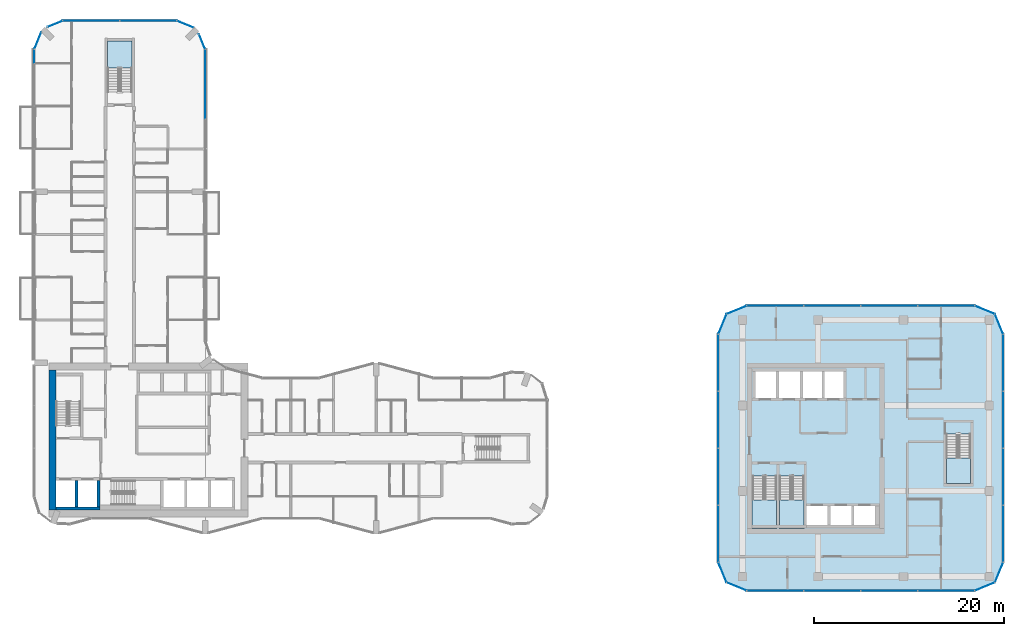
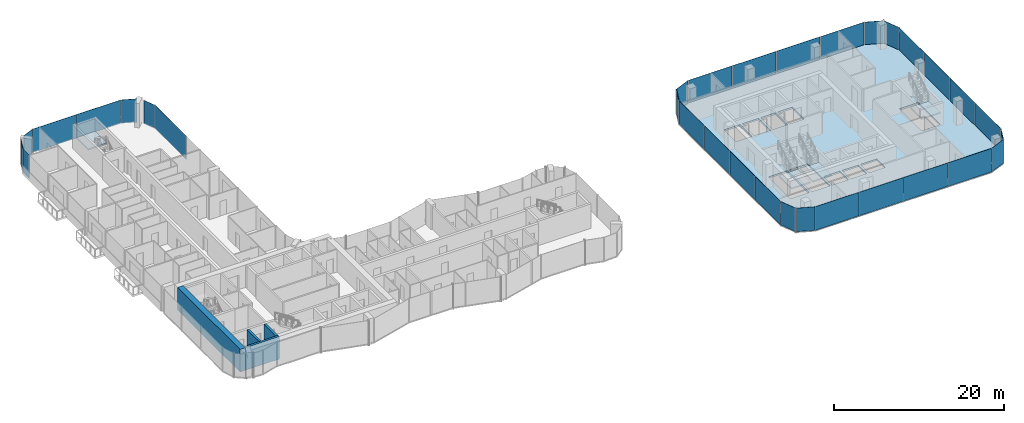
# One storey, part 12 of 23: 32 plates, 5 slabs, 4 walls, 23 elements without a shape of their own.
"""IFC4 building model written with IfcOpenShell, lengths in metres."""

from ifc_helpers import new_model, si_unit, direction, frame, frame_2d, origin, origin_2d, place, context, subcontext, project, spatial, polyline, rectangle, outline, extrude, material, layer, layer_set, type_object, element, aggregate, save


model = new_model("IFC4")

# Units and contexts
model_context = context("Model", 3, precision=1e-05, world=origin(), true_north=direction((0.0, 1.0)))
body_context = subcontext(model_context, "Body", "Model", "MODEL_VIEW")
ifc_project = project(units=[si_unit("LENGTHUNIT", "METRE"), si_unit("AREAUNIT", "SQUARE_METRE"), si_unit("VOLUMEUNIT", "CUBIC_METRE"), si_unit("PLANEANGLEUNIT", "RADIAN"), si_unit("MASSUNIT", "GRAM", prefix="KILO")], contexts=[model_context])

# Site, building, storey
site_placement = place(None, origin())
site = spatial("IfcSite", under=ifc_project, at=site_placement, CompositionType="ELEMENT")
building_placement = place(site_placement, origin())
building = spatial("IfcBuilding", under=site, at=building_placement, Name="Plateau Cross Towers", CompositionType="ELEMENT")
storey_placement = place(building_placement, frame((0.0, 0.0, 33.800048828125)))
storey = spatial("IfcBuildingStorey", under=building, at=storey_placement, Name="L07", CompositionType="ELEMENT", Elevation=33.800048828125)

# Curtain wall, plates
ifc_material_1 = material(Name="Dark low-iron glass", Category="glass")
ifc_layer_1 = layer(ifc_material_1, 0.239990234375)
ifc_layer_set_1 = layer_set([ifc_layer_1], Name="Dark low-iron glass")
curtain_wall_type_1 = type_object("IfcCurtainWallType", Name="Curtain wall office unitised CW-F", PredefinedType="NOTDEFINED", material=ifc_layer_set_1)
curtain_wall_1_placement = place(storey_placement, origin())
curtain_wall_1 = element("IfcCurtainWall", 1, at=curtain_wall_1_placement, inside=storey, type_object=curtain_wall_type_1, Name="ENV/B/L07/B750_-60", PredefinedType="NOTDEFINED")
ifc_layer_2 = layer(ifc_material_1, 0.028076171875)
ifc_layer_set_2 = layer_set([ifc_layer_2], Name="Dark low-iron glass")
plate_type_1 = type_object("IfcPlateType", Name="Glass panel 28 office unitised", PredefinedType="CURTAIN_PANEL", material=ifc_layer_set_2)
plate_1_placement = place(storey_placement, frame((78.0, -6.0, -0.1298828125), z_axis=(0.0, 0.0, 1.0), x_axis=(1.0, 0.0, 0.0)))
plate_1 = element("IfcPlate", 2, at=plate_1_placement, type_object=plate_type_1, Name="CW-F panel 1", PredefinedType="CURTAIN_PANEL", context=body_context, shape_type="SweptSolid", body=[
    extrude(rectangle(XDim=5.93994140625, YDim=0.028076171875, at=origin_2d()), origin(), (0.0, 0.0, 1.0), 3.3798828125),
])
plate_2_placement = place(storey_placement, frame((84.0, -6.0, -0.1298828125), z_axis=(0.0, 0.0, 1.0), x_axis=(1.0, 0.0, 0.0)))
plate_2 = element("IfcPlate", 3, at=plate_2_placement, type_object=plate_type_1, Name="CW-F panel 2", PredefinedType="CURTAIN_PANEL", context=body_context, shape_type="SweptSolid", body=[
    extrude(rectangle(XDim=5.93994140625, YDim=0.028076171875, at=origin_2d()), origin(), (0.0, 0.0, 1.0), 3.3798828125),
])
plate_3_placement = place(storey_placement, frame((90.0, -6.0, -0.1298828125), z_axis=(0.0, 0.0, 1.0), x_axis=(1.0, 0.0, 0.0)))
plate_3 = element("IfcPlate", 4, at=plate_3_placement, type_object=plate_type_1, Name="CW-F panel 3", PredefinedType="CURTAIN_PANEL", context=body_context, shape_type="SweptSolid", body=[
    extrude(rectangle(XDim=5.93994140625, YDim=0.028076171875, at=origin_2d()), origin(), (0.0, 0.0, 1.0), 3.3798828125),
])
plate_4_placement = place(storey_placement, frame((96.0, -6.0, -0.1298828125), z_axis=(0.0, 0.0, 1.0), x_axis=(1.0, 0.0, 0.0)))
plate_4 = element("IfcPlate", 5, at=plate_4_placement, type_object=plate_type_1, Name="CW-F panel 4", PredefinedType="CURTAIN_PANEL", context=body_context, shape_type="SweptSolid", body=[
    extrude(rectangle(XDim=5.93994140625, YDim=0.028076171875, at=origin_2d()), origin(), (0.0, 0.0, 1.0), 3.3798828125),
])
aggregate(curtain_wall_1, [plate_1, plate_2, plate_3, plate_4])

# Curtain wall, plate
curtain_wall_2_placement = place(storey_placement, origin())
curtain_wall_2 = element("IfcCurtainWall", 6, at=curtain_wall_2_placement, inside=storey, type_object=curtain_wall_type_1, Name="ENV/B/L07/B990_-60", PredefinedType="NOTDEFINED")
plate_5_placement = place(storey_placement, frame((100.060546875, -5.560546875, -0.1298828125), z_axis=(0.0, 0.0, 1.0), x_axis=(0.923879457699, 0.382683612978, 0.0)))
plate_5 = element("IfcPlate", 7, at=plate_5_placement, type_object=plate_type_1, Name="CW-F panel 1", PredefinedType="CURTAIN_PANEL", context=body_context, shape_type="SweptSolid", body=[
    extrude(rectangle(XDim=2.236083984375, YDim=0.028076171875, at=origin_2d()), origin(), (0.0, 0.0, 1.0), 3.3798828125),
])
aggregate(curtain_wall_2, [plate_5])

curtain_wall_3_placement = place(storey_placement, origin())
curtain_wall_3 = element("IfcCurtainWall", 8, at=curtain_wall_3_placement, inside=storey, type_object=curtain_wall_type_1, Name="ENV/B/L07/B1011_-51", PredefinedType="NOTDEFINED")
plate_6_placement = place(storey_placement, frame((101.560546875, -4.060546875, -0.1298828125), z_axis=(0.0, 0.0, 1.0), x_axis=(0.382683612978, 0.923879457699, 0.0)))
plate_6 = element("IfcPlate", 9, at=plate_6_placement, type_object=plate_type_1, Name="CW-F panel 1", PredefinedType="CURTAIN_PANEL", context=body_context, shape_type="SweptSolid", body=[
    extrude(rectangle(XDim=2.236083984375, YDim=0.028076171875, at=origin_2d()), origin(), (0.0, 0.0, 1.0), 3.3798828125),
])
aggregate(curtain_wall_3, [plate_6])

# Curtain wall, plates
curtain_wall_4_placement = place(storey_placement, origin())
curtain_wall_4 = element("IfcCurtainWall", 10, at=curtain_wall_4_placement, inside=storey, type_object=curtain_wall_type_1, Name="ENV/B/L07/B1020_-30", PredefinedType="NOTDEFINED")
plate_7_placement = place(storey_placement, frame((102.0, 0.0, -0.1298828125), z_axis=(0.0, 0.0, 1.0), x_axis=(0.0, 1.0, 0.0)))
plate_7 = element("IfcPlate", 11, at=plate_7_placement, type_object=plate_type_1, Name="CW-F panel 1", PredefinedType="CURTAIN_PANEL", context=body_context, shape_type="SweptSolid", body=[
    extrude(rectangle(XDim=5.93994140625, YDim=0.028076171875, at=origin_2d()), origin(), (0.0, 0.0, 1.0), 3.3798828125),
])
plate_8_placement = place(storey_placement, frame((102.0, 6.0, -0.1298828125), z_axis=(0.0, 0.0, 1.0), x_axis=(0.0, 1.0, 0.0)))
plate_8 = element("IfcPlate", 12, at=plate_8_placement, type_object=plate_type_1, Name="CW-F panel 2", PredefinedType="CURTAIN_PANEL", context=body_context, shape_type="SweptSolid", body=[
    extrude(rectangle(XDim=5.93994140625, YDim=0.028076171875, at=origin_2d()), origin(), (0.0, 0.0, 1.0), 3.3798828125),
])
plate_9_placement = place(storey_placement, frame((102.0, 12.0, -0.1298828125), z_axis=(0.0, 0.0, 1.0), x_axis=(0.0, 1.0, 0.0)))
plate_9 = element("IfcPlate", 13, at=plate_9_placement, type_object=plate_type_1, Name="CW-F panel 3", PredefinedType="CURTAIN_PANEL", context=body_context, shape_type="SweptSolid", body=[
    extrude(rectangle(XDim=5.93994140625, YDim=0.028076171875, at=origin_2d()), origin(), (0.0, 0.0, 1.0), 3.3798828125),
])
plate_10_placement = place(storey_placement, frame((102.0, 18.0, -0.1298828125), z_axis=(0.0, 0.0, 1.0), x_axis=(0.0, 1.0, 0.0)))
plate_10 = element("IfcPlate", 14, at=plate_10_placement, type_object=plate_type_1, Name="CW-F panel 4", PredefinedType="CURTAIN_PANEL", context=body_context, shape_type="SweptSolid", body=[
    extrude(rectangle(XDim=5.93994140625, YDim=0.028076171875, at=origin_2d()), origin(), (0.0, 0.0, 1.0), 3.3798828125),
])
aggregate(curtain_wall_4, [plate_7, plate_8, plate_9, plate_10])

# Curtain wall, plate
curtain_wall_5_placement = place(storey_placement, origin())
curtain_wall_5 = element("IfcCurtainWall", 15, at=curtain_wall_5_placement, inside=storey, type_object=curtain_wall_type_1, Name="ENV/B/L07/B1020_210", PredefinedType="NOTDEFINED")
plate_11_placement = place(storey_placement, frame((101.560546875, 22.060546875, -0.1298828125), z_axis=(0.0, 0.0, 1.0), x_axis=(-0.382683612978, 0.923879457699, 0.0)))
plate_11 = element("IfcPlate", 16, at=plate_11_placement, type_object=plate_type_1, Name="CW-F panel 1", PredefinedType="CURTAIN_PANEL", context=body_context, shape_type="SweptSolid", body=[
    extrude(rectangle(XDim=2.236083984375, YDim=0.028076171875, at=origin_2d()), origin(), (0.0, 0.0, 1.0), 3.3798828125),
])
aggregate(curtain_wall_5, [plate_11])

curtain_wall_6_placement = place(storey_placement, origin())
curtain_wall_6 = element("IfcCurtainWall", 17, at=curtain_wall_6_placement, inside=storey, type_object=curtain_wall_type_1, Name="ENV/B/L07/B1011_231", PredefinedType="NOTDEFINED")
plate_12_placement = place(storey_placement, frame((100.060546875, 23.560546875, -0.1298828125), z_axis=(0.0, 0.0, 1.0), x_axis=(-0.923879457699, 0.382683612978, 0.0)))
plate_12 = element("IfcPlate", 18, at=plate_12_placement, type_object=plate_type_1, Name="CW-F panel 1", PredefinedType="CURTAIN_PANEL", context=body_context, shape_type="SweptSolid", body=[
    extrude(rectangle(XDim=2.236083984375, YDim=0.028076171875, at=origin_2d()), origin(), (0.0, 0.0, 1.0), 3.3798828125),
])
aggregate(curtain_wall_6, [plate_12])

# Curtain wall, plates
curtain_wall_7_placement = place(storey_placement, origin())
curtain_wall_7 = element("IfcCurtainWall", 19, at=curtain_wall_7_placement, inside=storey, type_object=curtain_wall_type_1, Name="ENV/B/L07/B990_240", PredefinedType="NOTDEFINED")
plate_13_placement = place(storey_placement, frame((96.0, 24.0, -0.1298828125), z_axis=(0.0, 0.0, 1.0), x_axis=(-1.0, 0.0, 0.0)))
plate_13 = element("IfcPlate", 20, at=plate_13_placement, type_object=plate_type_1, Name="CW-F panel 1", PredefinedType="CURTAIN_PANEL", context=body_context, shape_type="SweptSolid", body=[
    extrude(rectangle(XDim=5.93994140625, YDim=0.028076171875, at=origin_2d()), origin(), (0.0, 0.0, 1.0), 3.3798828125),
])
plate_14_placement = place(storey_placement, frame((90.0, 24.0, -0.1298828125), z_axis=(0.0, 0.0, 1.0), x_axis=(-1.0, 0.0, 0.0)))
plate_14 = element("IfcPlate", 21, at=plate_14_placement, type_object=plate_type_1, Name="CW-F panel 2", PredefinedType="CURTAIN_PANEL", context=body_context, shape_type="SweptSolid", body=[
    extrude(rectangle(XDim=5.93994140625, YDim=0.028076171875, at=origin_2d()), origin(), (0.0, 0.0, 1.0), 3.3798828125),
])
plate_15_placement = place(storey_placement, frame((84.0, 24.0, -0.1298828125), z_axis=(0.0, 0.0, 1.0), x_axis=(-1.0, 0.0, 0.0)))
plate_15 = element("IfcPlate", 22, at=plate_15_placement, type_object=plate_type_1, Name="CW-F panel 3", PredefinedType="CURTAIN_PANEL", context=body_context, shape_type="SweptSolid", body=[
    extrude(rectangle(XDim=5.93994140625, YDim=0.028076171875, at=origin_2d()), origin(), (0.0, 0.0, 1.0), 3.3798828125),
])
plate_16_placement = place(storey_placement, frame((78.0, 24.0, -0.1298828125), z_axis=(0.0, 0.0, 1.0), x_axis=(-1.0, 0.0, 0.0)))
plate_16 = element("IfcPlate", 23, at=plate_16_placement, type_object=plate_type_1, Name="CW-F panel 4", PredefinedType="CURTAIN_PANEL", context=body_context, shape_type="SweptSolid", body=[
    extrude(rectangle(XDim=5.93994140625, YDim=0.028076171875, at=origin_2d()), origin(), (0.0, 0.0, 1.0), 3.3798828125),
])
aggregate(curtain_wall_7, [plate_13, plate_14, plate_15, plate_16])

# Curtain wall, plate
curtain_wall_8_placement = place(storey_placement, origin())
curtain_wall_8 = element("IfcCurtainWall", 24, at=curtain_wall_8_placement, inside=storey, type_object=curtain_wall_type_1, Name="ENV/B/L07/B750_240", PredefinedType="NOTDEFINED")
plate_17_placement = place(storey_placement, frame((73.939453125, 23.560546875, -0.1298828125), z_axis=(0.0, 0.0, 1.0), x_axis=(-0.923879457699, -0.382683612978, 0.0)))
plate_17 = element("IfcPlate", 25, at=plate_17_placement, type_object=plate_type_1, Name="CW-F panel 1", PredefinedType="CURTAIN_PANEL", context=body_context, shape_type="SweptSolid", body=[
    extrude(rectangle(XDim=2.236083984375, YDim=0.028076171875, at=origin_2d()), origin(), (0.0, 0.0, 1.0), 3.3798828125),
])
aggregate(curtain_wall_8, [plate_17])

curtain_wall_9_placement = place(storey_placement, origin())
curtain_wall_9 = element("IfcCurtainWall", 26, at=curtain_wall_9_placement, inside=storey, type_object=curtain_wall_type_1, Name="ENV/B/L07/B729_231", PredefinedType="NOTDEFINED")
plate_18_placement = place(storey_placement, frame((72.439453125, 22.060546875, -0.1298828125), z_axis=(0.0, 0.0, 1.0), x_axis=(-0.382683612978, -0.923879457699, 0.0)))
plate_18 = element("IfcPlate", 27, at=plate_18_placement, type_object=plate_type_1, Name="CW-F panel 1", PredefinedType="CURTAIN_PANEL", context=body_context, shape_type="SweptSolid", body=[
    extrude(rectangle(XDim=2.236083984375, YDim=0.028076171875, at=origin_2d()), origin(), (0.0, 0.0, 1.0), 3.3798828125),
])
aggregate(curtain_wall_9, [plate_18])

# Curtain wall, plates
curtain_wall_10_placement = place(storey_placement, origin())
curtain_wall_10 = element("IfcCurtainWall", 28, at=curtain_wall_10_placement, inside=storey, type_object=curtain_wall_type_1, Name="ENV/B/L07/B720_210", PredefinedType="NOTDEFINED")
plate_19_placement = place(storey_placement, frame((72.0, 18.0, -0.1298828125), z_axis=(0.0, 0.0, 1.0), x_axis=(0.0, -1.0, 0.0)))
plate_19 = element("IfcPlate", 29, at=plate_19_placement, type_object=plate_type_1, Name="CW-F panel 1", PredefinedType="CURTAIN_PANEL", context=body_context, shape_type="SweptSolid", body=[
    extrude(rectangle(XDim=5.93994140625, YDim=0.028076171875, at=origin_2d()), origin(), (0.0, 0.0, 1.0), 3.3798828125),
])
plate_20_placement = place(storey_placement, frame((72.0, 12.0, -0.1298828125), z_axis=(0.0, 0.0, 1.0), x_axis=(0.0, -1.0, 0.0)))
plate_20 = element("IfcPlate", 30, at=plate_20_placement, type_object=plate_type_1, Name="CW-F panel 2", PredefinedType="CURTAIN_PANEL", context=body_context, shape_type="SweptSolid", body=[
    extrude(rectangle(XDim=5.93994140625, YDim=0.028076171875, at=origin_2d()), origin(), (0.0, 0.0, 1.0), 3.3798828125),
])
plate_21_placement = place(storey_placement, frame((72.0, 6.0, -0.1298828125), z_axis=(0.0, 0.0, 1.0), x_axis=(0.0, -1.0, 0.0)))
plate_21 = element("IfcPlate", 31, at=plate_21_placement, type_object=plate_type_1, Name="CW-F panel 3", PredefinedType="CURTAIN_PANEL", context=body_context, shape_type="SweptSolid", body=[
    extrude(rectangle(XDim=5.93994140625, YDim=0.028076171875, at=origin_2d()), origin(), (0.0, 0.0, 1.0), 3.3798828125),
])
plate_22_placement = place(storey_placement, frame((72.0, 0.0, -0.1298828125), z_axis=(0.0, 0.0, 1.0), x_axis=(0.0, -1.0, 0.0)))
plate_22 = element("IfcPlate", 32, at=plate_22_placement, type_object=plate_type_1, Name="CW-F panel 4", PredefinedType="CURTAIN_PANEL", context=body_context, shape_type="SweptSolid", body=[
    extrude(rectangle(XDim=5.93994140625, YDim=0.028076171875, at=origin_2d()), origin(), (0.0, 0.0, 1.0), 3.3798828125),
])
aggregate(curtain_wall_10, [plate_19, plate_20, plate_21, plate_22])

# Curtain wall, plate
curtain_wall_11_placement = place(storey_placement, origin())
curtain_wall_11 = element("IfcCurtainWall", 33, at=curtain_wall_11_placement, inside=storey, type_object=curtain_wall_type_1, Name="ENV/B/L07/B720_-30", PredefinedType="NOTDEFINED")
plate_23_placement = place(storey_placement, frame((72.439453125, -4.060546875, -0.1298828125), z_axis=(0.0, 0.0, 1.0), x_axis=(0.382683612978, -0.923879457699, 0.0)))
plate_23 = element("IfcPlate", 34, at=plate_23_placement, type_object=plate_type_1, Name="CW-F panel 1", PredefinedType="CURTAIN_PANEL", context=body_context, shape_type="SweptSolid", body=[
    extrude(rectangle(XDim=2.236083984375, YDim=0.028076171875, at=origin_2d()), origin(), (0.0, 0.0, 1.0), 3.3798828125),
])
aggregate(curtain_wall_11, [plate_23])

curtain_wall_12_placement = place(storey_placement, origin())
curtain_wall_12 = element("IfcCurtainWall", 35, at=curtain_wall_12_placement, inside=storey, type_object=curtain_wall_type_1, Name="ENV/B/L07/B729_-51", PredefinedType="NOTDEFINED")
plate_24_placement = place(storey_placement, frame((73.939453125, -5.560546875, -0.1298828125), z_axis=(0.0, 0.0, 1.0), x_axis=(0.923879457699, -0.382683612978, 0.0)))
plate_24 = element("IfcPlate", 36, at=plate_24_placement, type_object=plate_type_1, Name="CW-F panel 1", PredefinedType="CURTAIN_PANEL", context=body_context, shape_type="SweptSolid", body=[
    extrude(rectangle(XDim=2.236083984375, YDim=0.028076171875, at=origin_2d()), origin(), (0.0, 0.0, 1.0), 3.3798828125),
])
aggregate(curtain_wall_12, [plate_24])

ifc_layer_3 = layer(ifc_material_1, 0.239990234375)
ifc_layer_set_3 = layer_set([ifc_layer_3], Name="Dark low-iron glass")
curtain_wall_type_2 = type_object("IfcCurtainWallType", Name="Curtain wall flush unitised CW-B", PredefinedType="NOTDEFINED", material=ifc_layer_set_3)
curtain_wall_13_placement = place(storey_placement, origin())
curtain_wall_13 = element("IfcCurtainWall", 37, at=curtain_wall_13_placement, inside=storey, type_object=curtain_wall_type_2, Name="ENV/A/L07/A180_363", PredefinedType="NOTDEFINED")
ifc_layer_4 = layer(ifc_material_1, 0.031982421875)
ifc_layer_set_4 = layer_set([ifc_layer_4], Name="Dark low-iron glass")
plate_type_2 = type_object("IfcPlateType", Name="Glass panel 32 flush unitised", PredefinedType="CURTAIN_PANEL", material=ifc_layer_set_4)
plate_25_placement = place(storey_placement, frame((18.0, 47.324951171875, -0.1298828125), z_axis=(0.0, 0.0, 1.0), x_axis=(0.0, 1.0, 0.0)))
plate_25 = element("IfcPlate", 38, at=plate_25_placement, type_object=plate_type_2, Name="CW-B panel 2", PredefinedType="CURTAIN_PANEL", context=body_context, shape_type="SweptSolid", body=[
    extrude(rectangle(XDim=7.2900390625, YDim=0.031982421875, at=origin_2d()), origin(), (0.0, 0.0, 1.0), 3.3798828125),
])
aggregate(curtain_wall_13, [plate_25])

curtain_wall_14_placement = place(storey_placement, origin())
curtain_wall_14 = element("IfcCurtainWall", 39, at=curtain_wall_14_placement, inside=storey, type_object=curtain_wall_type_2, Name="ENV/A/L07/A180_510", PredefinedType="NOTDEFINED")
plate_26_placement = place(storey_placement, frame((17.66943359375, 51.79833984375, -0.1298828125), z_axis=(0.0, 0.0, 1.0), x_axis=(-0.382683612978, 0.923879457699, 0.0)))
plate_26 = element("IfcPlate", 40, at=plate_26_placement, type_object=plate_type_2, Name="CW-B panel 1", PredefinedType="CURTAIN_PANEL", context=body_context, shape_type="SweptSolid", body=[
    extrude(rectangle(XDim=1.668212890625, YDim=0.031982421875, at=origin_2d()), origin(), (0.0, 0.0, 1.0), 3.3798828125),
])
aggregate(curtain_wall_14, [plate_26])

curtain_wall_15_placement = place(storey_placement, origin())
curtain_wall_15 = element("IfcCurtainWall", 41, at=curtain_wall_15_placement, inside=storey, type_object=curtain_wall_type_2, Name="ENV/A/L07/A168_533", PredefinedType="NOTDEFINED")
plate_27_placement = place(storey_placement, frame((15.90283203125, 53.6259765625, -0.1298828125), z_axis=(0.0, 0.0, 1.0), x_axis=(-0.923879457699, 0.382683612978, 0.0)))
plate_27 = element("IfcPlate", 42, at=plate_27_placement, type_object=plate_type_2, Name="CW-B panel 1", PredefinedType="CURTAIN_PANEL", context=body_context, shape_type="SweptSolid", body=[
    extrude(rectangle(XDim=1.894775390625, YDim=0.031982421875, at=origin_2d()), origin(), (0.0, 0.0, 1.0), 3.3798828125),
])
aggregate(curtain_wall_15, [plate_27])

# Curtain wall, plates
curtain_wall_16_placement = place(storey_placement, origin())
curtain_wall_16 = element("IfcCurtainWall", 43, at=curtain_wall_16_placement, inside=storey, type_object=curtain_wall_type_2, Name="ENV/A/L07/A150_540", PredefinedType="NOTDEFINED")
plate_28_placement = place(storey_placement, frame((12.0, 54.0, -0.1298828125), z_axis=(0.0, 0.0, 1.0), x_axis=(-1.0, 0.0, 0.0)))
plate_28 = element("IfcPlate", 44, at=plate_28_placement, type_object=plate_type_2, Name="CW-B panel 1", PredefinedType="CURTAIN_PANEL", context=body_context, shape_type="SweptSolid", body=[
    extrude(rectangle(XDim=5.93994140625, YDim=0.031982421875, at=origin_2d()), origin(), (0.0, 0.0, 1.0), 3.3798828125),
])
plate_29_placement = place(storey_placement, frame((6.0, 54.0, -0.1298828125), z_axis=(0.0, 0.0, 1.0), x_axis=(-1.0, 0.0, 0.0)))
plate_29 = element("IfcPlate", 45, at=plate_29_placement, type_object=plate_type_2, Name="CW-B panel 2", PredefinedType="CURTAIN_PANEL", context=body_context, shape_type="SweptSolid", body=[
    extrude(rectangle(XDim=5.93994140625, YDim=0.031982421875, at=origin_2d()), origin(), (0.0, 0.0, 1.0), 3.3798828125),
])
aggregate(curtain_wall_16, [plate_28, plate_29])

# Curtain wall, plate
curtain_wall_17_placement = place(storey_placement, origin())
curtain_wall_17 = element("IfcCurtainWall", 46, at=curtain_wall_17_placement, inside=storey, type_object=curtain_wall_type_2, Name="ENV/A/L07/A30_540", PredefinedType="NOTDEFINED")
plate_30_placement = place(storey_placement, frame((2.20166015625, 53.66943359375, -0.1298828125), z_axis=(0.0, 0.0, 1.0), x_axis=(-0.923879457699, -0.382683612978, 0.0)))
plate_30 = element("IfcPlate", 47, at=plate_30_placement, type_object=plate_type_2, Name="CW-B panel 1", PredefinedType="CURTAIN_PANEL", context=body_context, shape_type="SweptSolid", body=[
    extrude(rectangle(XDim=1.668212890625, YDim=0.031982421875, at=origin_2d()), origin(), (0.0, 0.0, 1.0), 3.3798828125),
])
aggregate(curtain_wall_17, [plate_30])

curtain_wall_18_placement = place(storey_placement, origin())
curtain_wall_18 = element("IfcCurtainWall", 48, at=curtain_wall_18_placement, inside=storey, type_object=curtain_wall_type_2, Name="ENV/A/L07/A7_528", PredefinedType="NOTDEFINED")
plate_31_placement = place(storey_placement, frame((0.3740234375, 51.90283203125, -0.1298828125), z_axis=(0.0, 0.0, 1.0), x_axis=(-0.382683612978, -0.923879457699, 0.0)))
plate_31 = element("IfcPlate", 49, at=plate_31_placement, type_object=plate_type_2, Name="CW-B panel 1", PredefinedType="CURTAIN_PANEL", context=body_context, shape_type="SweptSolid", body=[
    extrude(rectangle(XDim=1.894775390625, YDim=0.031982421875, at=origin_2d()), origin(), (0.0, 0.0, 1.0), 3.3798828125),
])
aggregate(curtain_wall_18, [plate_31])

curtain_wall_19_placement = place(storey_placement, origin())
curtain_wall_19 = element("IfcCurtainWall", 50, at=curtain_wall_19_placement, inside=storey, type_object=curtain_wall_type_2, Name="ENV/A/L07/A0_510", PredefinedType="NOTDEFINED")
plate_32_placement = place(storey_placement, frame((0.0, 50.25, -0.1298828125), z_axis=(0.0, 0.0, 1.0), x_axis=(0.0, -1.0, 0.0)))
plate_32 = element("IfcPlate", 51, at=plate_32_placement, type_object=plate_type_2, Name="CW-B panel 1", PredefinedType="CURTAIN_PANEL", context=body_context, shape_type="SweptSolid", body=[
    extrude(rectangle(XDim=1.43994140625, YDim=0.031982421875, at=origin_2d()), origin(), (0.0, 0.0, 1.0), 3.3798828125),
])
aggregate(curtain_wall_19, [plate_32])

# Slab
ifc_material_2 = material(Name="Concrete C40/50", Category="concrete")
ifc_layer_5 = layer(ifc_material_2, 0.25)
ifc_layer_set_5 = layer_set([ifc_layer_5], Name="Concrete C40/50")
slab_type_1 = type_object("IfcSlabType", Name="Post-tensioned flat plate slab 250", PredefinedType="FLOOR", material=ifc_layer_set_5)
slab_1_placement = place(storey_placement, frame((0.0, 0.0, -0.25)))
element("IfcSlab", 52, at=slab_1_placement, inside=storey, type_object=slab_type_1, Name="SL-B-L07", PredefinedType="FLOOR", context=body_context, shape_type="SweptSolid", body=[
    extrude(outline(polyline([(72.878662109375, -5.121337890625), (72.0, -3.0), (72.0, 21.0), (72.878662109375, 23.121337890625), (75.0, 24.0), (99.0, 24.0), (101.121337890625, 23.121337890625), (102.0, 21.0), (102.0, -3.0), (101.121337890625, -5.121337890625), (99.0, -6.0), (75.0, -6.0), (72.878662109375, -5.121337890625)]), holes=[polyline([(75.60009765625, 0.89990234375), (78.14990234375, 0.89990234375), (78.14990234375, 6.10009765625), (75.60009765625, 6.10009765625), (75.60009765625, 0.89990234375)]), polyline([(78.10009765625, 14.300048828125), (78.10009765625, 17.10009765625), (75.89990234375, 17.10009765625), (75.89990234375, 14.300048828125), (78.10009765625, 14.300048828125)]), polyline([(83.5, 0.89990234375), (83.5, 2.89990234375), (81.300048828125, 2.89990234375), (81.300048828125, 0.89990234375), (83.5, 0.89990234375)]), polyline([(86.0, 0.89990234375), (86.0, 2.89990234375), (83.800048828125, 2.89990234375), (83.800048828125, 0.89990234375), (86.0, 0.89990234375)]), polyline([(88.5, 0.89990234375), (88.5, 2.89990234375), (86.300048828125, 2.89990234375), (86.300048828125, 0.89990234375), (88.5, 0.89990234375)]), polyline([(78.449951171875, 0.89990234375), (81.0, 0.89990234375), (81.0, 6.10009765625), (78.449951171875, 6.10009765625), (78.449951171875, 0.89990234375)]), polyline([(96.0, 5.300048828125), (98.550048828125, 5.300048828125), (98.550048828125, 10.5), (96.0, 10.5), (96.0, 5.300048828125)]), polyline([(80.60009765625, 14.300048828125), (80.60009765625, 17.10009765625), (78.39990234375, 17.10009765625), (78.39990234375, 14.300048828125), (80.60009765625, 14.300048828125)]), polyline([(80.89990234375, 14.300048828125), (82.89990234375, 14.300048828125), (82.89990234375, 17.10009765625), (80.89990234375, 17.10009765625), (80.89990234375, 14.300048828125)]), polyline([(83.199951171875, 14.300048828125), (85.199951171875, 14.300048828125), (85.199951171875, 17.10009765625), (83.199951171875, 17.10009765625), (83.199951171875, 14.300048828125)])]), origin(), (0.0, 0.0, 1.0), 0.25),
])

# Stair, slab
stair_type = type_object("IfcStairType", Name="ST-TWR", PredefinedType="HALF_TURN_STAIR", material=ifc_material_2)
stair_1_placement = place(storey_placement, origin())
stair_1 = element("IfcStair", 53, at=stair_1_placement, inside=storey, type_object=stair_type, Name="L07 Protected Exit Stair SB-1", PredefinedType="HALF_TURN_STAIR")
ifc_layer_6 = layer(ifc_material_2, 0.199951171875)
ifc_layer_set_6 = layer_set([ifc_layer_6], Name="Concrete C40/50")
slab_type_2 = type_object("IfcSlabType", Name="SL-LANDING", PredefinedType="LANDING", material=ifc_layer_set_6)
slab_2_placement = place(storey_placement, frame((0.0, 0.0, 1.550048828125)))
slab_2 = element("IfcSlab", 54, at=slab_2_placement, type_object=slab_type_2, Name="SB-1 landing 1", PredefinedType="LANDING", context=body_context, shape_type="SweptSolid", body=[
    extrude(outline(polyline([(75.550048828125, 3.580078125), (75.550048828125, 0.550048828125), (78.14990234375, 0.550048828125), (78.14990234375, 3.580078125), (75.550048828125, 3.580078125)])), origin(), (0.0, 0.0, 1.0), 0.199951171875),
])
aggregate(stair_1, [slab_2])

stair_2_placement = place(storey_placement, origin())
stair_2 = element("IfcStair", 55, at=stair_2_placement, inside=storey, type_object=stair_type, Name="L07 Protected Exit Stair SB-2", PredefinedType="HALF_TURN_STAIR")
slab_3_placement = place(storey_placement, frame((0.0, 0.0, 1.550048828125)))
slab_3 = element("IfcSlab", 56, at=slab_3_placement, type_object=slab_type_2, Name="SB-2 landing 1", PredefinedType="LANDING", context=body_context, shape_type="SweptSolid", body=[
    extrude(outline(polyline([(78.449951171875, 3.580078125), (78.449951171875, 0.550048828125), (81.0, 0.550048828125), (81.0, 3.580078125), (78.449951171875, 3.580078125)])), origin(), (0.0, 0.0, 1.0), 0.199951171875),
])
aggregate(stair_2, [slab_3])

stair_3_placement = place(storey_placement, origin())
stair_3 = element("IfcStair", 57, at=stair_3_placement, inside=storey, type_object=stair_type, Name="L07 Protected Exit Stair SB-3", PredefinedType="HALF_TURN_STAIR")
slab_4_placement = place(storey_placement, frame((0.0, 0.0, 1.550048828125)))
slab_4 = element("IfcSlab", 58, at=slab_4_placement, type_object=slab_type_2, Name="SB-3 landing 1", PredefinedType="LANDING", context=body_context, shape_type="SweptSolid", body=[
    extrude(outline(polyline([(96.0, 7.97998046875), (96.0, 5.300048828125), (98.550048828125, 5.300048828125), (98.550048828125, 7.97998046875), (96.0, 7.97998046875)])), origin(), (0.0, 0.0, 1.0), 0.199951171875),
])
aggregate(stair_3, [slab_4])

stair_4_placement = place(storey_placement, origin())
stair_4 = element("IfcStair", 59, at=stair_4_placement, inside=storey, type_object=stair_type, Name="L07 Protected Exit Stair N", PredefinedType="HALF_TURN_STAIR")
slab_5_placement = place(storey_placement, frame((0.0, 0.0, 1.550048828125)))
slab_5 = element("IfcSlab", 60, at=slab_5_placement, type_object=slab_type_2, Name="ES-N landing 1", PredefinedType="LANDING", context=body_context, shape_type="SweptSolid", body=[
    extrude(outline(polyline([(10.27490234375, 49.02001953125), (10.27490234375, 51.85009765625), (7.72509765625, 51.85009765625), (7.72509765625, 49.02001953125), (10.27490234375, 49.02001953125)])), origin(), (0.0, 0.0, 1.0), 0.199951171875),
])
aggregate(stair_4, [slab_5])

# Walls
ifc_material_3 = material(Name="Concrete C60/75", Category="concrete")
ifc_layer_7 = layer(ifc_material_3, 0.300048828125)
ifc_layer_set_7 = layer_set([ifc_layer_7], Name="Concrete C60/75")
wall_type_1 = type_object("IfcWallType", Name="Core shaft wall 300", PredefinedType="SHEAR", material=ifc_layer_set_7)
wall_1_placement = place(storey_placement, frame((2.300048828125, 2.64990234375, 0.0), z_axis=(0.0, 0.0, 1.0), x_axis=(1.0, 0.0, 0.0)))
element("IfcWall", 61, at=wall_1_placement, inside=storey, type_object=wall_type_1, Name="A-sb-back1@L07", PredefinedType="SHEAR", context=body_context, shape_type="SweptSolid", body=[
    extrude(rectangle(XDim=4.599853515625, YDim=0.300048828125, at=frame_2d((2.2998046875, 0.0))), origin(), (0.0, 0.0, 1.0), 3.25),
])
for number, where, z_axis, x_axis, name in (
    (62, (4.449951171875, 2.800048828125, 0.0), (0.0, 0.0, 1.0), (0.0, 1.0, 0.0), "A-sb-v1@L07"),
    (63, (6.75, 2.800048828125, 0.0), (0.0, 0.0, 1.0), (0.0, 1.0, 0.0), "A-sb-v2@L07"),
):
    element("IfcWall", number, at=place(storey_placement, frame(where, z_axis=z_axis, x_axis=x_axis)), inside=storey, type_object=wall_type_1, Name=name, PredefinedType="SHEAR", context=body_context, shape_type="SweptSolid", body=[
        extrude(rectangle(XDim=2.800048828125, YDim=0.300048828125, at=frame_2d((1.39990234375, 0.0))), origin(), (0.0, 0.0, 1.0), 3.25),
    ])
ifc_layer_8 = layer(ifc_material_3, 0.75)
ifc_layer_set_8 = layer_set([ifc_layer_8], Name="Concrete C60/75")
wall_type_2 = type_object("IfcWallType", Name="Core shell wall 750", PredefinedType="SHEAR", material=ifc_layer_set_8)
wall_2_placement = place(storey_placement, frame((1.925048828125, 2.5, 0.0), z_axis=(0.0, 0.0, 1.0), x_axis=(0.0, 1.0, 0.0)))
element("IfcWall", 64, at=wall_2_placement, inside=storey, type_object=wall_type_2, Name="A-core-W@L07", PredefinedType="SHEAR", context=body_context, shape_type="SweptSolid", body=[
    extrude(rectangle(XDim=14.75, YDim=0.75, at=frame_2d((7.375, 0.0))), origin(), (0.0, 0.0, 1.0), 3.25),
])

save(model, "model.ifc")
